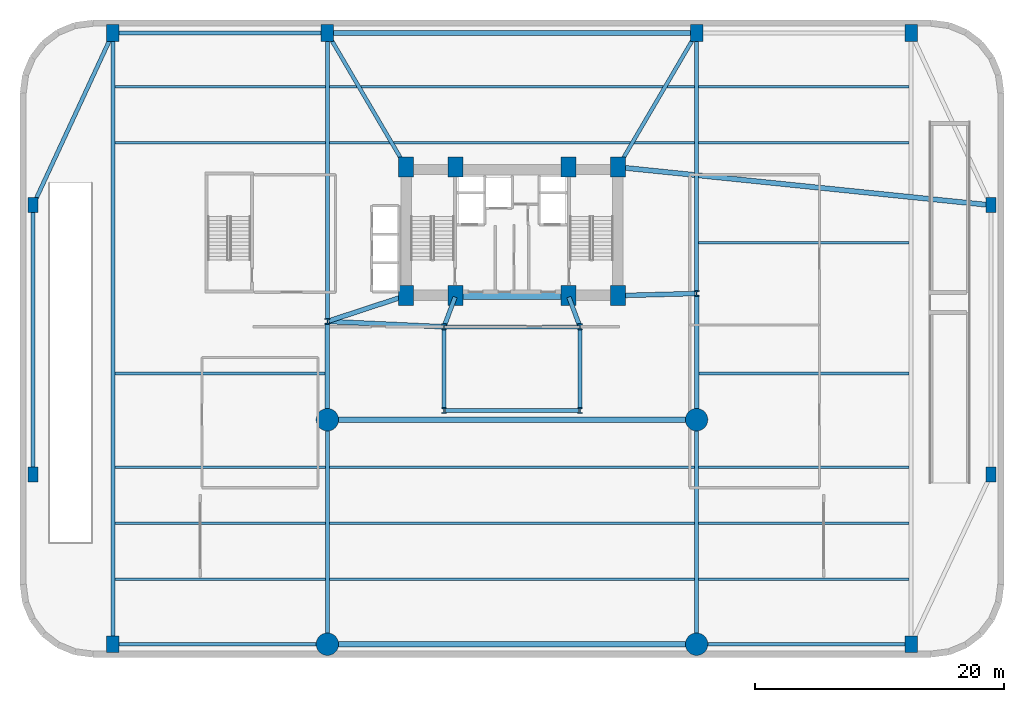
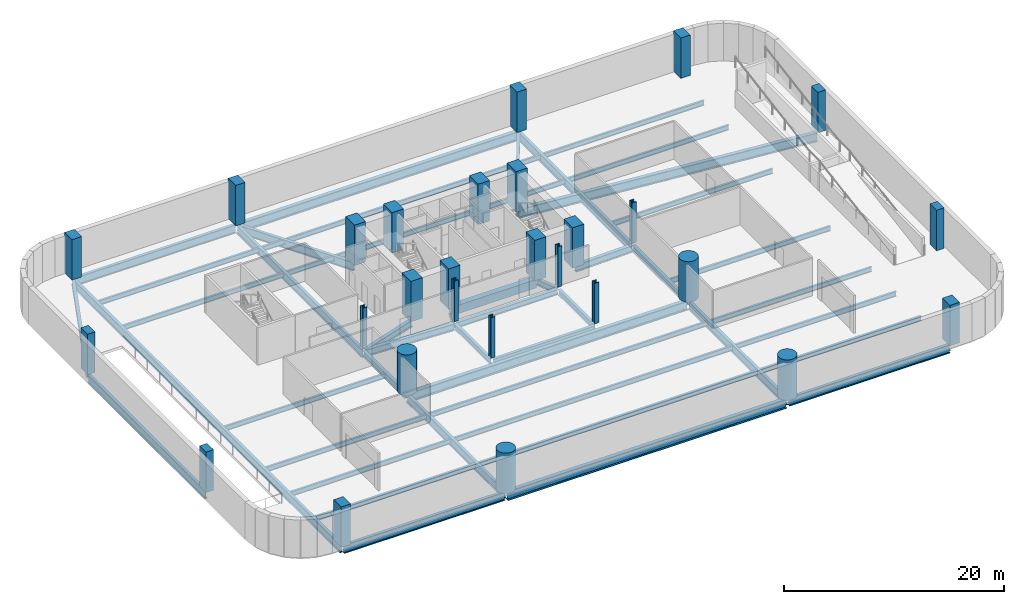
# One storey, part 1 of 8: 46 beams, 28 columns.
"""IFC4 building model written with IfcOpenShell, lengths in metres."""

from ifc_helpers import new_model, si_unit, direction, frame, origin, origin_2d, place, context, subcontext, project, spatial, rectangle, circle, i_section, extrude, material, material_profile, profile_set, type_object, element, save


model = new_model("IFC4")

# Units and contexts
model_context = context("Model", 3, precision=1e-05, world=origin(), true_north=direction((0.0, 1.0)))
body_context = subcontext(model_context, "Body", "Model", "MODEL_VIEW")
ifc_project = project(units=[si_unit("LENGTHUNIT", "METRE"), si_unit("AREAUNIT", "SQUARE_METRE"), si_unit("VOLUMEUNIT", "CUBIC_METRE"), si_unit("PLANEANGLEUNIT", "RADIAN"), si_unit("MASSUNIT", "GRAM", prefix="KILO")], contexts=[model_context])

# Site, building, storey
site_placement = place(None, origin())
site = spatial("IfcSite", under=ifc_project, at=site_placement, CompositionType="ELEMENT")
building_placement = place(site_placement, origin())
building = spatial("IfcBuilding", under=site, at=building_placement, Name="Varnelok Gate Tower", CompositionType="ELEMENT")
storey_placement = place(building_placement, frame((0.0, 0.0, -4.5)))
storey = spatial("IfcBuildingStorey", under=building, at=storey_placement, Name="B01", CompositionType="ELEMENT", Elevation=-4.5)

# Columns
ifc_material_1 = material(Name="Concrete C60/75", Category="concrete")
ifc_material_profile_1 = material_profile(ifc_material_1, rectangle(XDim=0.800048828125, YDim=1.199951171875, at=origin_2d()), Name="RC1200X800")
ifc_profile_set_1 = profile_set([ifc_material_profile_1], Name="Concrete C60/75")
column_type_1 = type_object("IfcColumnType", Name="COL-PIL-RC1200", PredefinedType="PILASTER", material=ifc_profile_set_1)
for number, where, z_axis, x_axis, name in (
    (1, (0.800048828125, 14.39990234375, 0.0), (0.0, 0.0, 1.0), (1.0, 0.0, 0.0), "B01 Podium Mega-Column PM11"),
    (2, (0.800048828125, 36.0, 0.0), (0.0, 0.0, 1.0), (1.0, 0.0, 0.0), "B01 Podium Mega-Column PM12"),
    (3, (77.60009765625, 14.39990234375, 0.0), (0.0, 0.0, 1.0), (1.0, 0.0, 0.0), "B01 Podium Mega-Column PM13"),
    (4, (77.60009765625, 36.0, 0.0), (0.0, 0.0, 1.0), (1.0, 0.0, 0.0), "B01 Podium Mega-Column PM14"),
):
    element("IfcColumn", number, at=place(storey_placement, frame(where, z_axis=z_axis, x_axis=x_axis)), inside=storey, type_object=column_type_1, Name=name, PredefinedType="PILASTER", context=body_context, shape_type="SweptSolid", body=[
        extrude(rectangle(XDim=0.800048828125, YDim=1.199951171875, at=origin_2d()), origin(), (0.0, 0.0, 1.0), 4.5),
    ])
ifc_material_2 = material(Name="Concrete C70/85", Category="concrete")
ifc_material_profile_2 = material_profile(ifc_material_2, rectangle(XDim=1.0, YDim=1.35009765625, at=origin_2d()), Name="RC1350X1000")
ifc_profile_set_2 = profile_set([ifc_material_profile_2], Name="Concrete C70/85")
column_type_2 = type_object("IfcColumnType", Name="COL-RC1350X1000", PredefinedType="COLUMN", material=ifc_profile_set_2)
for number, where, z_axis, x_axis, name in (
    (5, (7.199951171875, 0.800048828125, 0.0), (0.0, 0.0, 1.0), (1.0, 0.0, 0.0), "B01 Podium Mega-Column PM01"),
    (6, (71.199951171875, 0.800048828125, 0.0), (0.0, 0.0, 1.0), (1.0, 0.0, 0.0), "B01 Podium Mega-Column PM04"),
    (7, (7.199951171875, 49.800048828125, 0.0), (0.0, 0.0, 1.0), (1.0, 0.0, 0.0), "B01 Podium Mega-Column PM07"),
    (8, (24.39990234375, 49.800048828125, 0.0), (0.0, 0.0, 1.0), (1.0, 0.0, 0.0), "B01 Podium Mega-Column PM08"),
    (9, (54.0, 49.800048828125, 0.0), (0.0, 0.0, 1.0), (1.0, 0.0, 0.0), "B01 Podium Mega-Column PM09"),
    (10, (71.199951171875, 49.800048828125, 0.0), (0.0, 0.0, 1.0), (1.0, 0.0, 0.0), "B01 Podium Mega-Column PM10"),
):
    element("IfcColumn", number, at=place(storey_placement, frame(where, z_axis=z_axis, x_axis=x_axis)), inside=storey, type_object=column_type_2, Name=name, PredefinedType="COLUMN", context=body_context, shape_type="SweptSolid", body=[
        extrude(rectangle(XDim=1.0, YDim=1.35009765625, at=origin_2d()), origin(), (0.0, 0.0, 1.0), 4.5),
    ])
ifc_material_profile_3 = material_profile(ifc_material_2, rectangle(XDim=1.199951171875, YDim=1.60009765625, at=origin_2d()), Name="RC1600X1200")
ifc_profile_set_3 = profile_set([ifc_material_profile_3], Name="Concrete C70/85")
column_type_3 = type_object("IfcColumnType", Name="COL-RC1600X1200", PredefinedType="COLUMN", material=ifc_profile_set_3)
for number, where, z_axis, x_axis, name in (
    (11, (30.699951171875, 28.75, 0.0), (0.0, 0.0, 1.0), (1.0, 0.0, 0.0), "B01 Core Spine Column SC1"),
    (12, (34.679931640625, 28.75, 0.0), (0.0, 0.0, 1.0), (1.0, 0.0, 0.0), "B01 Core Spine Column SC2"),
    (13, (43.719970703125, 28.75, 0.0), (0.0, 0.0, 1.0), (1.0, 0.0, 0.0), "B01 Core Spine Column SC3"),
    (14, (47.699951171875, 28.75, 0.0), (0.0, 0.0, 1.0), (1.0, 0.0, 0.0), "B01 Core Spine Column SC4"),
    (15, (30.699951171875, 39.050048828125, 0.0), (0.0, 0.0, 1.0), (1.0, 0.0, 0.0), "B01 Core Spine Column SC5"),
    (16, (34.679931640625, 39.050048828125, 0.0), (0.0, 0.0, 1.0), (1.0, 0.0, 0.0), "B01 Core Spine Column SC6"),
    (17, (43.719970703125, 39.050048828125, 0.0), (0.0, 0.0, 1.0), (1.0, 0.0, 0.0), "B01 Core Spine Column SC7"),
    (18, (47.699951171875, 39.050048828125, 0.0), (0.0, 0.0, 1.0), (1.0, 0.0, 0.0), "B01 Core Spine Column SC8"),
):
    element("IfcColumn", number, at=place(storey_placement, frame(where, z_axis=z_axis, x_axis=x_axis)), inside=storey, type_object=column_type_3, Name=name, PredefinedType="COLUMN", context=body_context, shape_type="SweptSolid", body=[
        extrude(rectangle(XDim=1.199951171875, YDim=1.60009765625, at=origin_2d()), origin(), (0.0, 0.0, 1.0), 4.5),
    ])
ifc_material_profile_4 = material_profile(ifc_material_2, circle(Radius=0.89990234375, at=origin_2d()), Name="RCD1800")
ifc_profile_set_4 = profile_set([ifc_material_profile_4], Name="Concrete C70/85")
column_type_4 = type_object("IfcColumnType", Name="COL-RCD1800", PredefinedType="COLUMN", material=ifc_profile_set_4)
for number, where, z_axis, x_axis, name in (
    (19, (24.39990234375, 0.800048828125, 0.0), (0.0, 0.0, 1.0), (1.0, 0.0, 0.0), "B01 Podium Mega-Column PM02"),
    (20, (54.0, 0.800048828125, 0.0), (0.0, 0.0, 1.0), (1.0, 0.0, 0.0), "B01 Podium Mega-Column PM03"),
    (21, (24.39990234375, 18.800048828125, 0.0), (0.0, 0.0, 1.0), (1.0, 0.0, 0.0), "B01 Podium Mega-Column PM05"),
    (22, (54.0, 18.800048828125, 0.0), (0.0, 0.0, 1.0), (1.0, 0.0, 0.0), "B01 Podium Mega-Column PM06"),
):
    element("IfcColumn", number, at=place(storey_placement, frame(where, z_axis=z_axis, x_axis=x_axis)), inside=storey, type_object=column_type_4, Name=name, PredefinedType="COLUMN", context=body_context, shape_type="SweptSolid", body=[
        extrude(circle(Radius=0.89990234375, at=origin_2d()), origin(), (0.0, 0.0, 1.0), 4.5),
    ])
ifc_material_3 = material(Name="Structural Steel ASTM A992 Grade 50", Category="steel")
ifc_material_profile_5 = material_profile(ifc_material_3, i_section(OverallWidth=0.431884765625, OverallDepth=0.498046875, WebThickness=0.0556640625, FlangeThickness=0.0888671875, FilletRadius=0.02490234375, at=origin_2d()), Name="W14X500")
ifc_profile_set_5 = profile_set([ifc_material_profile_5], Name="Structural Steel ASTM A992 Grade 50")
column_type_5 = type_object("IfcColumnType", Name="COL-W14X500", PredefinedType="COLUMN", material=ifc_profile_set_5)
for number, where, z_axis, x_axis, name in (
    (23, (33.75, 19.550048828125, 0.0), (0.0, 0.0, 1.0), (1.0, 0.0, 0.0), "B01 Atrium Spine Column AC1"),
    (24, (44.64990234375, 19.550048828125, 0.0), (0.0, 0.0, 1.0), (1.0, 0.0, 0.0), "B01 Atrium Spine Column AC2"),
    (25, (33.75, 26.25, 0.0), (0.0, 0.0, 1.0), (1.0, 0.0, 0.0), "B01 Atrium Spine Column AC3"),
    (26, (44.64990234375, 26.25, 0.0), (0.0, 0.0, 1.0), (1.0, 0.0, 0.0), "B01 Atrium Spine Column AC4"),
    (27, (24.39990234375, 26.679931640625, 0.0), (0.0, 0.0, 1.0), (1.0, 0.0, 0.0), "B01 Wing Spine Column WS2"),
    (28, (54.0, 28.919921875, 0.0), (0.0, 0.0, 1.0), (1.0, 0.0, 0.0), "B01 Wing Spine Column ES2"),
):
    element("IfcColumn", number, at=place(storey_placement, frame(where, z_axis=z_axis, x_axis=x_axis)), inside=storey, type_object=column_type_5, Name=name, PredefinedType="COLUMN", context=body_context, shape_type="SweptSolid", body=[
        extrude(i_section(OverallWidth=0.431884765625, OverallDepth=0.498046875, WebThickness=0.0556640625, FlangeThickness=0.0888671875, FilletRadius=0.02490234375, at=origin_2d()), origin(), (0.0, 0.0, 1.0), 4.5),
    ])

# Beams
ifc_material_profile_6 = material_profile(ifc_material_3, i_section(OverallWidth=0.2119140625, OverallDepth=0.5439453125, WebThickness=0.01318359375, FlangeThickness=0.021240234375, FilletRadius=0.01611328125, at=origin_2d()), Name="W21X83")
ifc_profile_set_6 = profile_set([ifc_material_profile_6], Name="Structural Steel ASTM A992 Grade 50")
beam_type_1 = type_object("IfcBeamType", Name="BM-JST-W21X83", PredefinedType="JOIST", material=ifc_profile_set_6)
beam_1_placement = place(storey_placement, frame((7.360107421875, 6.0, -0.572021484375), z_axis=(1.0, 0.0, 0.0), x_axis=(0.0, 1.0, 0.0)))
element("IfcBeam", 29, at=beam_1_placement, inside=storey, type_object=beam_type_1, Name="B01 Podium Floor Joist", PredefinedType="JOIST", context=body_context, shape_type="SweptSolid", body=[
    extrude(i_section(OverallWidth=0.2119140625, OverallDepth=0.5439453125, WebThickness=0.01318359375, FlangeThickness=0.021240234375, FilletRadius=0.01611328125, at=origin_2d()), origin(), (0.0, 0.0, 1.0), 16.8798828125),
])
beam_2_placement = place(storey_placement, frame((54.159912109375, 6.0, -0.572021484375), z_axis=(1.0, 0.0, 0.0), x_axis=(0.0, 1.0, 0.0)))
element("IfcBeam", 30, at=beam_2_placement, inside=storey, type_object=beam_type_1, Name="B01 Podium Floor Joist", PredefinedType="JOIST", context=body_context, shape_type="SweptSolid", body=[
    extrude(i_section(OverallWidth=0.2119140625, OverallDepth=0.5439453125, WebThickness=0.01318359375, FlangeThickness=0.021240234375, FilletRadius=0.01611328125, at=origin_2d()), origin(), (0.0, 0.0, 1.0), 16.880126953125),
])
beam_3_placement = place(storey_placement, frame((24.56005859375, 6.0, -0.572021484375), z_axis=(1.0, 0.0, 0.0), x_axis=(0.0, 1.0, 0.0)))
element("IfcBeam", 31, at=beam_3_placement, inside=storey, type_object=beam_type_1, Name="B01 Central Bay Joist", PredefinedType="JOIST", context=body_context, shape_type="SweptSolid", body=[
    extrude(i_section(OverallWidth=0.2119140625, OverallDepth=0.5439453125, WebThickness=0.01318359375, FlangeThickness=0.021240234375, FilletRadius=0.01611328125, at=origin_2d()), origin(), (0.0, 0.0, 1.0), 29.280029296875),
])
beam_4_placement = place(storey_placement, frame((7.360107421875, 10.5, -0.572021484375), z_axis=(1.0, 0.0, 0.0), x_axis=(0.0, 1.0, 0.0)))
element("IfcBeam", 32, at=beam_4_placement, inside=storey, type_object=beam_type_1, Name="B01 Podium Floor Joist", PredefinedType="JOIST", context=body_context, shape_type="SweptSolid", body=[
    extrude(i_section(OverallWidth=0.2119140625, OverallDepth=0.5439453125, WebThickness=0.01318359375, FlangeThickness=0.021240234375, FilletRadius=0.01611328125, at=origin_2d()), origin(), (0.0, 0.0, 1.0), 16.8798828125),
])
beam_5_placement = place(storey_placement, frame((54.159912109375, 10.5, -0.572021484375), z_axis=(1.0, 0.0, 0.0), x_axis=(0.0, 1.0, 0.0)))
element("IfcBeam", 33, at=beam_5_placement, inside=storey, type_object=beam_type_1, Name="B01 Podium Floor Joist", PredefinedType="JOIST", context=body_context, shape_type="SweptSolid", body=[
    extrude(i_section(OverallWidth=0.2119140625, OverallDepth=0.5439453125, WebThickness=0.01318359375, FlangeThickness=0.021240234375, FilletRadius=0.01611328125, at=origin_2d()), origin(), (0.0, 0.0, 1.0), 16.880126953125),
])
beam_6_placement = place(storey_placement, frame((24.56005859375, 10.5, -0.572021484375), z_axis=(1.0, 0.0, 0.0), x_axis=(0.0, 1.0, 0.0)))
element("IfcBeam", 34, at=beam_6_placement, inside=storey, type_object=beam_type_1, Name="B01 Central Bay Joist", PredefinedType="JOIST", context=body_context, shape_type="SweptSolid", body=[
    extrude(i_section(OverallWidth=0.2119140625, OverallDepth=0.5439453125, WebThickness=0.01318359375, FlangeThickness=0.021240234375, FilletRadius=0.01611328125, at=origin_2d()), origin(), (0.0, 0.0, 1.0), 29.280029296875),
])
beam_7_placement = place(storey_placement, frame((7.360107421875, 15.0, -0.572021484375), z_axis=(1.0, 0.0, 0.0), x_axis=(0.0, 1.0, 0.0)))
element("IfcBeam", 35, at=beam_7_placement, inside=storey, type_object=beam_type_1, Name="B01 Podium Floor Joist", PredefinedType="JOIST", context=body_context, shape_type="SweptSolid", body=[
    extrude(i_section(OverallWidth=0.2119140625, OverallDepth=0.5439453125, WebThickness=0.01318359375, FlangeThickness=0.021240234375, FilletRadius=0.01611328125, at=origin_2d()), origin(), (0.0, 0.0, 1.0), 16.8798828125),
])
beam_8_placement = place(storey_placement, frame((54.159912109375, 15.0, -0.572021484375), z_axis=(1.0, 0.0, 0.0), x_axis=(0.0, 1.0, 0.0)))
element("IfcBeam", 36, at=beam_8_placement, inside=storey, type_object=beam_type_1, Name="B01 Podium Floor Joist", PredefinedType="JOIST", context=body_context, shape_type="SweptSolid", body=[
    extrude(i_section(OverallWidth=0.2119140625, OverallDepth=0.5439453125, WebThickness=0.01318359375, FlangeThickness=0.021240234375, FilletRadius=0.01611328125, at=origin_2d()), origin(), (0.0, 0.0, 1.0), 16.880126953125),
])
beam_9_placement = place(storey_placement, frame((24.56005859375, 15.0, -0.572021484375), z_axis=(1.0, 0.0, 0.0), x_axis=(0.0, 1.0, 0.0)))
element("IfcBeam", 37, at=beam_9_placement, inside=storey, type_object=beam_type_1, Name="B01 Central Bay Joist", PredefinedType="JOIST", context=body_context, shape_type="SweptSolid", body=[
    extrude(i_section(OverallWidth=0.2119140625, OverallDepth=0.5439453125, WebThickness=0.01318359375, FlangeThickness=0.021240234375, FilletRadius=0.01611328125, at=origin_2d()), origin(), (0.0, 0.0, 1.0), 29.280029296875),
])
beam_10_placement = place(storey_placement, frame((7.360107421875, 22.5, -0.572021484375), z_axis=(1.0, 0.0, 0.0), x_axis=(0.0, 1.0, 0.0)))
element("IfcBeam", 38, at=beam_10_placement, inside=storey, type_object=beam_type_1, Name="B01 Podium Floor Joist", PredefinedType="JOIST", context=body_context, shape_type="SweptSolid", body=[
    extrude(i_section(OverallWidth=0.2119140625, OverallDepth=0.5439453125, WebThickness=0.01318359375, FlangeThickness=0.021240234375, FilletRadius=0.01611328125, at=origin_2d()), origin(), (0.0, 0.0, 1.0), 16.8798828125),
])
for number, where, z_axis, x_axis, name in (
    (39, (54.159912109375, 22.5, -0.572021484375), (1.0, 0.0, 0.0), (0.0, 1.0, 0.0), "B01 Podium Floor Joist"),
    (40, (54.159912109375, 33.0, -0.572021484375), (1.0, 0.0, 0.0), (0.0, 1.0, 0.0), "B01 Podium Floor Joist"),
):
    element("IfcBeam", number, at=place(storey_placement, frame(where, z_axis=z_axis, x_axis=x_axis)), inside=storey, type_object=beam_type_1, Name=name, PredefinedType="JOIST", context=body_context, shape_type="SweptSolid", body=[
        extrude(i_section(OverallWidth=0.2119140625, OverallDepth=0.5439453125, WebThickness=0.01318359375, FlangeThickness=0.021240234375, FilletRadius=0.01611328125, at=origin_2d()), origin(), (0.0, 0.0, 1.0), 16.880126953125),
    ])
beam_11_placement = place(storey_placement, frame((7.360107421875, 41.0, -0.572021484375), z_axis=(1.0, 0.0, 0.0), x_axis=(0.0, 1.0, 0.0)))
element("IfcBeam", 41, at=beam_11_placement, inside=storey, type_object=beam_type_1, Name="B01 Podium Floor Joist", PredefinedType="JOIST", context=body_context, shape_type="SweptSolid", body=[
    extrude(i_section(OverallWidth=0.2119140625, OverallDepth=0.5439453125, WebThickness=0.01318359375, FlangeThickness=0.021240234375, FilletRadius=0.01611328125, at=origin_2d()), origin(), (0.0, 0.0, 1.0), 16.8798828125),
])
beam_12_placement = place(storey_placement, frame((54.159912109375, 41.0, -0.572021484375), z_axis=(1.0, 0.0, 0.0), x_axis=(0.0, 1.0, 0.0)))
element("IfcBeam", 42, at=beam_12_placement, inside=storey, type_object=beam_type_1, Name="B01 Podium Floor Joist", PredefinedType="JOIST", context=body_context, shape_type="SweptSolid", body=[
    extrude(i_section(OverallWidth=0.2119140625, OverallDepth=0.5439453125, WebThickness=0.01318359375, FlangeThickness=0.021240234375, FilletRadius=0.01611328125, at=origin_2d()), origin(), (0.0, 0.0, 1.0), 16.880126953125),
])
beam_13_placement = place(storey_placement, frame((24.56005859375, 41.0, -0.572021484375), z_axis=(1.0, 0.0, 0.0), x_axis=(0.0, 1.0, 0.0)))
element("IfcBeam", 43, at=beam_13_placement, inside=storey, type_object=beam_type_1, Name="B01 Central Bay Joist", PredefinedType="JOIST", context=body_context, shape_type="SweptSolid", body=[
    extrude(i_section(OverallWidth=0.2119140625, OverallDepth=0.5439453125, WebThickness=0.01318359375, FlangeThickness=0.021240234375, FilletRadius=0.01611328125, at=origin_2d()), origin(), (0.0, 0.0, 1.0), 29.280029296875),
])
beam_14_placement = place(storey_placement, frame((7.360107421875, 45.5, -0.572021484375), z_axis=(1.0, 0.0, 0.0), x_axis=(0.0, 1.0, 0.0)))
element("IfcBeam", 44, at=beam_14_placement, inside=storey, type_object=beam_type_1, Name="B01 Podium Floor Joist", PredefinedType="JOIST", context=body_context, shape_type="SweptSolid", body=[
    extrude(i_section(OverallWidth=0.2119140625, OverallDepth=0.5439453125, WebThickness=0.01318359375, FlangeThickness=0.021240234375, FilletRadius=0.01611328125, at=origin_2d()), origin(), (0.0, 0.0, 1.0), 16.8798828125),
])
beam_15_placement = place(storey_placement, frame((54.159912109375, 45.5, -0.572021484375), z_axis=(1.0, 0.0, 0.0), x_axis=(0.0, 1.0, 0.0)))
element("IfcBeam", 45, at=beam_15_placement, inside=storey, type_object=beam_type_1, Name="B01 Podium Floor Joist", PredefinedType="JOIST", context=body_context, shape_type="SweptSolid", body=[
    extrude(i_section(OverallWidth=0.2119140625, OverallDepth=0.5439453125, WebThickness=0.01318359375, FlangeThickness=0.021240234375, FilletRadius=0.01611328125, at=origin_2d()), origin(), (0.0, 0.0, 1.0), 16.880126953125),
])
beam_16_placement = place(storey_placement, frame((24.56005859375, 45.5, -0.572021484375), z_axis=(1.0, 0.0, 0.0), x_axis=(0.0, 1.0, 0.0)))
element("IfcBeam", 46, at=beam_16_placement, inside=storey, type_object=beam_type_1, Name="B01 Central Bay Joist", PredefinedType="JOIST", context=body_context, shape_type="SweptSolid", body=[
    extrude(i_section(OverallWidth=0.2119140625, OverallDepth=0.5439453125, WebThickness=0.01318359375, FlangeThickness=0.021240234375, FilletRadius=0.01611328125, at=origin_2d()), origin(), (0.0, 0.0, 1.0), 29.280029296875),
])
ifc_material_profile_7 = material_profile(ifc_material_1, rectangle(XDim=0.60009765625, YDim=0.949951171875, at=origin_2d()), Name="RC950X600")
ifc_profile_set_7 = profile_set([ifc_material_profile_7], Name="Concrete C60/75")
beam_type_2 = type_object("IfcBeamType", Name="BM-LNT-RC950", PredefinedType="LINTEL", material=ifc_profile_set_7)
beam_17_placement = place(storey_placement, frame((34.800048828125, 28.75, -0.77490234375), z_axis=(1.0, 0.0, 0.0), x_axis=(0.0, 1.0, 0.0)))
element("IfcBeam", 47, at=beam_17_placement, inside=storey, type_object=beam_type_2, Name="B01 Core-Atrium Spine Beam 7", PredefinedType="LINTEL", context=body_context, shape_type="SweptSolid", body=[
    extrude(rectangle(XDim=0.60009765625, YDim=0.949951171875, at=origin_2d()), origin(), (0.0, 0.0, 1.0), 8.800048828125),
])
ifc_material_profile_8 = material_profile(ifc_material_3, i_section(OverallWidth=0.35498046875, OverallDepth=0.696044921875, WebThickness=0.015380859375, FlangeThickness=0.02490234375, FilletRadius=0.02001953125, at=origin_2d()), Name="W27X146")
ifc_profile_set_8 = profile_set([ifc_material_profile_8], Name="Structural Steel ASTM A992 Grade 50")
beam_type_3 = type_object("IfcBeamType", Name="BM-PRI-W27X146", PredefinedType="BEAM", material=ifc_profile_set_8)
for number, where, z_axis, x_axis, name in (
    (48, (33.791748046875, 26.362548828125, -0.64794921875), (0.348719329408, 0.937227202602, 0.0), (-0.937227202602, 0.348719329408, 0.0), "B01 Core-Atrium Spine Beam 12"),
    (49, (44.608154296875, 26.362548828125, -0.64794921875), (-0.348719329408, 0.937227202602, 0.0), (-0.937227202602, -0.348719329408, 0.0), "B01 Core-Atrium Spine Beam 13"),
):
    element("IfcBeam", number, at=place(storey_placement, frame(where, z_axis=z_axis, x_axis=x_axis)), inside=storey, type_object=beam_type_3, Name=name, PredefinedType="BEAM", context=body_context, shape_type="SweptSolid", body=[
        extrude(i_section(OverallWidth=0.35498046875, OverallDepth=0.696044921875, WebThickness=0.015380859375, FlangeThickness=0.02490234375, FilletRadius=0.02001953125, at=origin_2d()), origin(), (0.0, 0.0, 1.0), 2.42724609375),
    ])
beam_18_placement = place(storey_placement, frame((24.39990234375, 18.919921875, -0.64794921875), z_axis=(0.0, 1.0, 0.0), x_axis=(-1.0, 0.0, 0.0)))
element("IfcBeam", 50, at=beam_18_placement, inside=storey, type_object=beam_type_3, Name="B01 Core-Atrium Spine Beam 16", PredefinedType="BEAM", context=body_context, shape_type="SweptSolid", body=[
    extrude(i_section(OverallWidth=0.35498046875, OverallDepth=0.696044921875, WebThickness=0.015380859375, FlangeThickness=0.02490234375, FilletRadius=0.02001953125, at=origin_2d()), origin(), (0.0, 0.0, 1.0), 7.64013671875),
])
beam_19_placement = place(storey_placement, frame((54.0, 18.919921875, -0.64794921875), z_axis=(0.0, 1.0, 0.0), x_axis=(-1.0, 0.0, 0.0)))
element("IfcBeam", 51, at=beam_19_placement, inside=storey, type_object=beam_type_3, Name="B01 Core-Atrium Spine Beam 20", PredefinedType="BEAM", context=body_context, shape_type="SweptSolid", body=[
    extrude(i_section(OverallWidth=0.35498046875, OverallDepth=0.696044921875, WebThickness=0.015380859375, FlangeThickness=0.02490234375, FilletRadius=0.02001953125, at=origin_2d()), origin(), (0.0, 0.0, 1.0), 9.880126953125),
])
ifc_material_profile_9 = material_profile(ifc_material_3, i_section(OverallWidth=0.381103515625, OverallDepth=0.77294921875, WebThickness=0.0166015625, FlangeThickness=0.027099609375, FilletRadius=0.02197265625, at=origin_2d()), Name="W30X173")
ifc_profile_set_9 = profile_set([ifc_material_profile_9], Name="Structural Steel ASTM A992 Grade 50")
beam_type_4 = type_object("IfcBeamType", Name="BM-PRI-W30X173", PredefinedType="BEAM", material=ifc_profile_set_9)
beam_20_placement = place(storey_placement, frame((24.52001953125, 26.674560546875, -0.6865234375), z_axis=(0.99894427814, -0.045938319209, 0.0), x_axis=(0.045938319209, 0.99894427814, 0.0)))
element("IfcBeam", 52, at=beam_20_placement, inside=storey, type_object=beam_type_4, Name="B01 Core-Atrium Spine Beam 15", PredefinedType="BEAM", context=body_context, shape_type="SweptSolid", body=[
    extrude(i_section(OverallWidth=0.381103515625, OverallDepth=0.77294921875, WebThickness=0.0166015625, FlangeThickness=0.027099609375, FilletRadius=0.02197265625, at=origin_2d()), origin(), (0.0, 0.0, 1.0), 9.11962890625),
])
beam_21_placement = place(storey_placement, frame((24.513916015625, 26.717529296875, -0.6865234375), z_axis=(0.950041943788, 0.312122259768, 0.0), x_axis=(-0.312122259768, 0.950041943788, 0.0)))
element("IfcBeam", 53, at=beam_21_placement, inside=storey, type_object=beam_type_4, Name="B01 Core-Atrium Spine Beam 17", PredefinedType="BEAM", context=body_context, shape_type="SweptSolid", body=[
    extrude(i_section(OverallWidth=0.381103515625, OverallDepth=0.77294921875, WebThickness=0.0166015625, FlangeThickness=0.027099609375, FilletRadius=0.02197265625, at=origin_2d()), origin(), (0.0, 0.0, 1.0), 6.391357421875),
])
beam_22_placement = place(storey_placement, frame((47.820068359375, 28.753173828125, -0.6865234375), z_axis=(0.999635880609, 0.026983443053, 0.0), x_axis=(-0.026983443053, 0.999635880609, 0.0)))
element("IfcBeam", 54, at=beam_22_placement, inside=storey, type_object=beam_type_4, Name="B01 Core-Atrium Spine Beam 19", PredefinedType="BEAM", context=body_context, shape_type="SweptSolid", body=[
    extrude(i_section(OverallWidth=0.381103515625, OverallDepth=0.77294921875, WebThickness=0.0166015625, FlangeThickness=0.027099609375, FilletRadius=0.02197265625, at=origin_2d()), origin(), (0.0, 0.0, 1.0), 6.06201171875),
])
ifc_material_profile_10 = material_profile(ifc_material_3, i_section(OverallWidth=0.30810546875, OverallDepth=0.943115234375, WebThickness=0.022216796875, FlangeThickness=0.039794921875, FilletRadius=0.02587890625, at=origin_2d()), Name="W36X232")
ifc_profile_set_10 = profile_set([ifc_material_profile_10], Name="Structural Steel ASTM A992 Grade 50")
beam_type_5 = type_object("IfcBeamType", Name="BM-PRI-W36X232", PredefinedType="BEAM", material=ifc_profile_set_10)
beam_23_placement = place(storey_placement, frame((7.340087890625, 0.800048828125, -0.771484375), z_axis=(1.0, 0.0, 0.0), x_axis=(0.0, 1.0, 0.0)))
element("IfcBeam", 55, at=beam_23_placement, inside=storey, type_object=beam_type_5, Name="B01 Podium Primary Girder 1", PredefinedType="BEAM", context=body_context, shape_type="SweptSolid", body=[
    extrude(i_section(OverallWidth=0.30810546875, OverallDepth=0.943115234375, WebThickness=0.022216796875, FlangeThickness=0.039794921875, FilletRadius=0.02587890625, at=origin_2d()), origin(), (0.0, 0.0, 1.0), 16.919921875),
])
beam_24_placement = place(storey_placement, frame((54.139892578125, 0.800048828125, -0.771484375), z_axis=(1.0, 0.0, 0.0), x_axis=(0.0, 1.0, 0.0)))
element("IfcBeam", 56, at=beam_24_placement, inside=storey, type_object=beam_type_5, Name="B01 Podium Primary Girder 2", PredefinedType="BEAM", context=body_context, shape_type="SweptSolid", body=[
    extrude(i_section(OverallWidth=0.30810546875, OverallDepth=0.943115234375, WebThickness=0.022216796875, FlangeThickness=0.039794921875, FilletRadius=0.02587890625, at=origin_2d()), origin(), (0.0, 0.0, 1.0), 16.920166015625),
])
beam_25_placement = place(storey_placement, frame((7.340087890625, 49.800048828125, -0.771484375), z_axis=(1.0, 0.0, 0.0), x_axis=(0.0, 1.0, 0.0)))
element("IfcBeam", 57, at=beam_25_placement, inside=storey, type_object=beam_type_5, Name="B01 Podium Primary Girder 3", PredefinedType="BEAM", context=body_context, shape_type="SweptSolid", body=[
    extrude(i_section(OverallWidth=0.30810546875, OverallDepth=0.943115234375, WebThickness=0.022216796875, FlangeThickness=0.039794921875, FilletRadius=0.02587890625, at=origin_2d()), origin(), (0.0, 0.0, 1.0), 16.919921875),
])
beam_26_placement = place(storey_placement, frame((0.800048828125, 14.5400390625, -0.771484375), z_axis=(0.0, 1.0, 0.0), x_axis=(-1.0, 0.0, 0.0)))
element("IfcBeam", 58, at=beam_26_placement, inside=storey, type_object=beam_type_5, Name="B01 Podium Primary Girder 6", PredefinedType="BEAM", context=body_context, shape_type="SweptSolid", body=[
    extrude(i_section(OverallWidth=0.30810546875, OverallDepth=0.943115234375, WebThickness=0.022216796875, FlangeThickness=0.039794921875, FilletRadius=0.02587890625, at=origin_2d()), origin(), (0.0, 0.0, 1.0), 21.320068359375),
])
for number, where, z_axis, x_axis, name in (
    (59, (24.39990234375, 0.93994140625, -0.771484375), (0.0, 1.0, 0.0), (-1.0, 0.0, 0.0), "B01 Podium Primary Girder 12"),
    (60, (54.0, 0.93994140625, -0.771484375), (0.0, 1.0, 0.0), (-1.0, 0.0, 0.0), "B01 Podium Primary Girder 13"),
):
    element("IfcBeam", number, at=place(storey_placement, frame(where, z_axis=z_axis, x_axis=x_axis)), inside=storey, type_object=beam_type_5, Name=name, PredefinedType="BEAM", context=body_context, shape_type="SweptSolid", body=[
        extrude(i_section(OverallWidth=0.30810546875, OverallDepth=0.943115234375, WebThickness=0.022216796875, FlangeThickness=0.039794921875, FilletRadius=0.02587890625, at=origin_2d()), origin(), (0.0, 0.0, 1.0), 17.719970703125),
    ])
beam_27_placement = place(storey_placement, frame((7.199951171875, 0.93994140625, -0.771484375), z_axis=(0.0, 1.0, 0.0), x_axis=(-1.0, 0.0, 0.0)))
element("IfcBeam", 61, at=beam_27_placement, inside=storey, type_object=beam_type_5, Name="B01 Podium Primary Girder 14", PredefinedType="BEAM", context=body_context, shape_type="SweptSolid", body=[
    extrude(i_section(OverallWidth=0.30810546875, OverallDepth=0.943115234375, WebThickness=0.022216796875, FlangeThickness=0.039794921875, FilletRadius=0.02587890625, at=origin_2d()), origin(), (0.0, 0.0, 1.0), 48.719970703125),
])
for number, where, z_axis, x_axis, name in (
    (62, (24.470703125, 49.67919921875, -0.771484375), (0.505622271853, -0.862754958378, 0.0), (0.862754958378, 0.505622271853, 0.0), "B01 Podium Primary Girder 20"),
    (63, (53.92919921875, 49.67919921875, -0.771484375), (-0.505622271853, -0.862754958378, 0.0), (0.862754958378, -0.505622271853, 0.0), "B01 Podium Primary Girder 21"),
):
    element("IfcBeam", number, at=place(storey_placement, frame(where, z_axis=z_axis, x_axis=x_axis)), inside=storey, type_object=beam_type_5, Name=name, PredefinedType="BEAM", context=body_context, shape_type="SweptSolid", body=[
        extrude(i_section(OverallWidth=0.30810546875, OverallDepth=0.943115234375, WebThickness=0.022216796875, FlangeThickness=0.039794921875, FilletRadius=0.02587890625, at=origin_2d()), origin(), (0.0, 0.0, 1.0), 12.179931640625),
    ])
beam_28_placement = place(storey_placement, frame((24.39990234375, 26.820068359375, -0.771484375), z_axis=(0.0, 1.0, 0.0), x_axis=(-1.0, 0.0, 0.0)))
element("IfcBeam", 64, at=beam_28_placement, inside=storey, type_object=beam_type_5, Name="B01 Podium Primary Girder 22", PredefinedType="BEAM", context=body_context, shape_type="SweptSolid", body=[
    extrude(i_section(OverallWidth=0.30810546875, OverallDepth=0.943115234375, WebThickness=0.022216796875, FlangeThickness=0.039794921875, FilletRadius=0.02587890625, at=origin_2d()), origin(), (0.0, 0.0, 1.0), 22.83984375),
])
beam_29_placement = place(storey_placement, frame((54.0, 29.06005859375, -0.771484375), z_axis=(0.0, 1.0, 0.0), x_axis=(-1.0, 0.0, 0.0)))
element("IfcBeam", 65, at=beam_29_placement, inside=storey, type_object=beam_type_5, Name="B01 Podium Primary Girder 23", PredefinedType="BEAM", context=body_context, shape_type="SweptSolid", body=[
    extrude(i_section(OverallWidth=0.30810546875, OverallDepth=0.943115234375, WebThickness=0.022216796875, FlangeThickness=0.039794921875, FilletRadius=0.02587890625, at=origin_2d()), origin(), (0.0, 0.0, 1.0), 20.599853515625),
])
ifc_material_profile_11 = material_profile(ifc_material_3, i_section(OverallWidth=0.323974609375, OverallDepth=0.611083984375, WebThickness=0.0126953125, FlangeThickness=0.01904296875, FilletRadius=0.01806640625, at=origin_2d()), Name="W24X104")
ifc_profile_set_11 = profile_set([ifc_material_profile_11], Name="Structural Steel ASTM A992 Grade 50")
beam_type_6 = type_object("IfcBeamType", Name="BM-SPN-W24X104", PredefinedType="SPANDREL", material=ifc_profile_set_11)
for number, where, z_axis, x_axis, name in (
    (66, (33.8701171875, 19.550048828125, -0.60546875), (1.0, 0.0, 0.0), (0.0, 1.0, 0.0), "B01 Core-Atrium Spine Beam 8"),
    (67, (33.8701171875, 26.25, -0.60546875), (1.0, 0.0, 0.0), (0.0, 1.0, 0.0), "B01 Core-Atrium Spine Beam 9"),
):
    element("IfcBeam", number, at=place(storey_placement, frame(where, z_axis=z_axis, x_axis=x_axis)), inside=storey, type_object=beam_type_6, Name=name, PredefinedType="SPANDREL", context=body_context, shape_type="SweptSolid", body=[
        extrude(i_section(OverallWidth=0.323974609375, OverallDepth=0.611083984375, WebThickness=0.0126953125, FlangeThickness=0.01904296875, FilletRadius=0.01806640625, at=origin_2d()), origin(), (0.0, 0.0, 1.0), 10.659912109375),
    ])
for number, where, z_axis, x_axis, name in (
    (68, (33.75, 19.669921875, -0.60546875), (0.0, 1.0, 0.0), (-1.0, 0.0, 0.0), "B01 Core-Atrium Spine Beam 10"),
    (69, (44.64990234375, 19.669921875, -0.60546875), (0.0, 1.0, 0.0), (-1.0, 0.0, 0.0), "B01 Core-Atrium Spine Beam 11"),
):
    element("IfcBeam", number, at=place(storey_placement, frame(where, z_axis=z_axis, x_axis=x_axis)), inside=storey, type_object=beam_type_6, Name=name, PredefinedType="SPANDREL", context=body_context, shape_type="SweptSolid", body=[
        extrude(i_section(OverallWidth=0.323974609375, OverallDepth=0.611083984375, WebThickness=0.0126953125, FlangeThickness=0.01904296875, FilletRadius=0.01806640625, at=origin_2d()), origin(), (0.0, 0.0, 1.0), 6.4599609375),
    ])
beam_30_placement = place(storey_placement, frame((0.85888671875, 36.126953125, -0.60546875), z_axis=(0.420722638096, 0.907189319709, 0.0), x_axis=(-0.907189319709, 0.420722638096, 0.0)))
element("IfcBeam", 70, at=beam_30_placement, inside=storey, type_object=beam_type_6, Name="B01 Podium Primary Girder 9", PredefinedType="SPANDREL", context=body_context, shape_type="SweptSolid", body=[
    extrude(i_section(OverallWidth=0.323974609375, OverallDepth=0.611083984375, WebThickness=0.0126953125, FlangeThickness=0.01904296875, FilletRadius=0.01806640625, at=origin_2d()), origin(), (0.0, 0.0, 1.0), 14.931884765625),
])
ifc_material_profile_12 = material_profile(ifc_material_3, i_section(OverallWidth=0.404052734375, OverallDepth=1.02001953125, WebThickness=0.025390625, FlangeThickness=0.0458984375, FilletRadius=0.030029296875, at=origin_2d()), Name="W40X324")
ifc_profile_set_12 = profile_set([ifc_material_profile_12], Name="Structural Steel ASTM A992 Grade 50")
beam_type_7 = type_object("IfcBeamType", Name="BM-SPR-W40X324", PredefinedType="BEAM", material=ifc_profile_set_12)
beam_31_placement = place(storey_placement, frame((24.5400390625, 49.800048828125, -0.81005859375), z_axis=(1.0, 0.0, 0.0), x_axis=(0.0, 1.0, 0.0)))
element("IfcBeam", 71, at=beam_31_placement, inside=storey, type_object=beam_type_7, Name="B01 Podium Primary Girder 4", PredefinedType="BEAM", context=body_context, shape_type="SweptSolid", body=[
    extrude(i_section(OverallWidth=0.404052734375, OverallDepth=1.02001953125, WebThickness=0.025390625, FlangeThickness=0.0458984375, FilletRadius=0.030029296875, at=origin_2d()), origin(), (0.0, 0.0, 1.0), 29.320068359375),
])
beam_32_placement = place(storey_placement, frame((47.83935546875, 39.035888671875, -0.81005859375), z_axis=(0.994837048788, -0.101485202654, 0.0), x_axis=(0.101485202654, 0.994837048788, 0.0)))
element("IfcBeam", 72, at=beam_32_placement, inside=storey, type_object=beam_type_7, Name="B01 Podium Primary Girder 19", PredefinedType="BEAM", context=body_context, shape_type="SweptSolid", body=[
    extrude(i_section(OverallWidth=0.404052734375, OverallDepth=1.02001953125, WebThickness=0.025390625, FlangeThickness=0.0458984375, FilletRadius=0.030029296875, at=origin_2d()), origin(), (0.0, 0.0, 1.0), 29.775146484375),
])
ifc_material_profile_13 = material_profile(ifc_material_3, i_section(OverallWidth=0.409912109375, OverallDepth=1.0400390625, WebThickness=0.031005859375, FlangeThickness=0.055908203125, FilletRadius=0.030029296875, at=origin_2d()), Name="W40X397")
ifc_profile_set_13 = profile_set([ifc_material_profile_13], Name="Structural Steel ASTM A992 Grade 50")
beam_type_8 = type_object("IfcBeamType", Name="BM-TIE-W40X397", PredefinedType="BEAM", material=ifc_profile_set_13)
for number, where, z_axis, x_axis, name in (
    (73, (24.5400390625, 0.800048828125, -0.820068359375), (1.0, 0.0, 0.0), (0.0, 1.0, 0.0), "B01 Podium Primary Girder 24"),
    (74, (24.5400390625, 18.800048828125, -0.820068359375), (1.0, 0.0, 0.0), (0.0, 1.0, 0.0), "B01 Podium Primary Girder 25"),
):
    element("IfcBeam", number, at=place(storey_placement, frame(where, z_axis=z_axis, x_axis=x_axis)), inside=storey, type_object=beam_type_8, Name=name, PredefinedType="BEAM", context=body_context, shape_type="SweptSolid", body=[
        extrude(i_section(OverallWidth=0.409912109375, OverallDepth=1.0400390625, WebThickness=0.031005859375, FlangeThickness=0.055908203125, FilletRadius=0.030029296875, at=origin_2d()), origin(), (0.0, 0.0, 1.0), 29.320068359375),
    ])

save(model, "model.ifc")
